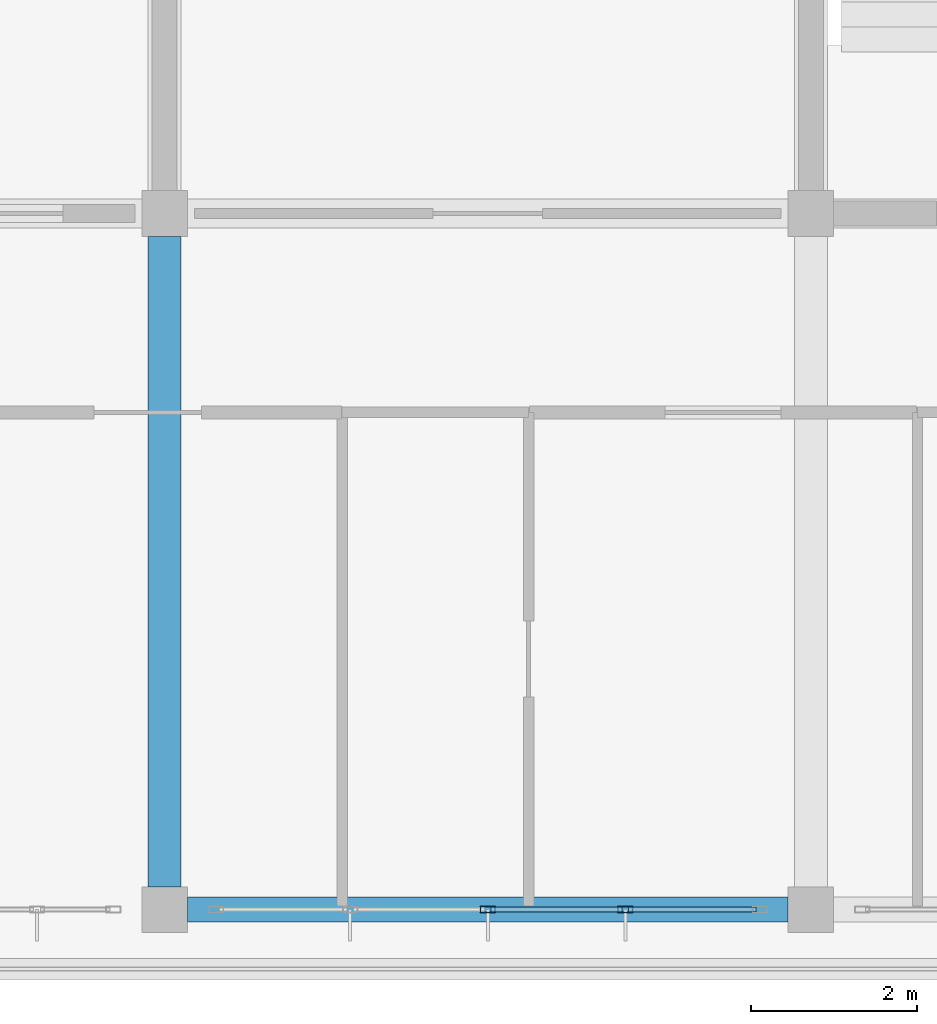
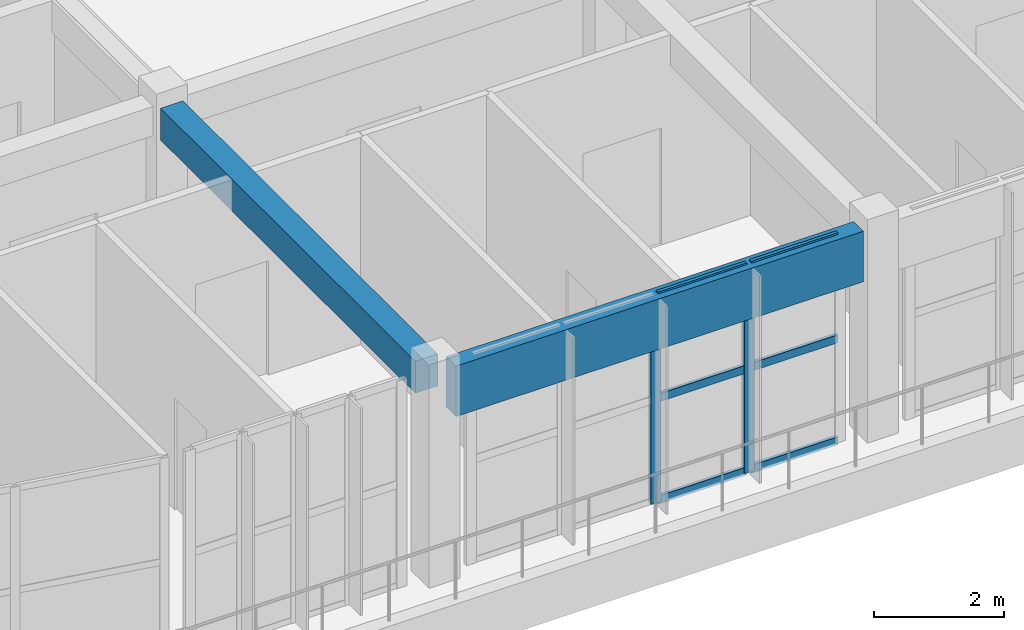
# One storey, part 4 of 44: 8 members, 2 beams, 1 element without a shape of its own.
"""IFC4 building model written with IfcOpenShell, lengths in metres."""

from ifc_helpers import new_model, si_unit, direction, frame, origin, origin_2d, place, context, subcontext, project, spatial, rectangle, hollow_rectangle, extrude, material, layer, layer_set, material_profile, profile_set, type_object, element, aggregate, save


model = new_model("IFC4")

# Units and contexts
model_context = context("Model", 3, precision=1e-05, world=origin(), true_north=direction((0.0, 1.0)))
body_context = subcontext(model_context, "Body", "Model", "MODEL_VIEW")
ifc_project = project(units=[si_unit("LENGTHUNIT", "METRE"), si_unit("AREAUNIT", "SQUARE_METRE"), si_unit("VOLUMEUNIT", "CUBIC_METRE"), si_unit("PLANEANGLEUNIT", "RADIAN"), si_unit("MASSUNIT", "GRAM", prefix="KILO")], contexts=[model_context])

# Site, building, storey
site_placement = place(None, origin())
site = spatial("IfcSite", under=ifc_project, at=site_placement, CompositionType="ELEMENT")
building_placement = place(site_placement, origin())
building = spatial("IfcBuilding", under=site, at=building_placement, Name="Zizhar Promenade General Hospital", CompositionType="ELEMENT")
storey_placement = place(building_placement, frame((0.0, 0.0, 34.800048828125)))
storey = spatial("IfcBuildingStorey", under=building, at=storey_placement, Name="L08", CompositionType="ELEMENT", Elevation=34.800048828125)

# Beams
ifc_material_1 = material(Name="Precast concrete C40/50", Category="concrete")
ifc_material_profile_1 = material_profile(ifc_material_1, rectangle(XDim=0.300048828125, YDim=0.949951171875, at=origin_2d()))
ifc_profile_set_1 = profile_set([ifc_material_profile_1], Name="Precast concrete C40/50")
beam_type_1 = type_object("IfcBeamType", Name="BM-PC-BAND950", PredefinedType="SPANDREL", material=ifc_profile_set_1)
beam_1_placement = place(storey_placement, frame((54.875, 0.0, 3.43505859375), z_axis=(1.0, 0.0, 0.0), x_axis=(0.0, 1.0, 0.0)))
element("IfcBeam", 1, at=beam_1_placement, inside=storey, type_object=beam_type_1, Name="Grid Beam X L08 (7-0)", PredefinedType="SPANDREL", context=body_context, shape_type="SweptSolid", body=[
    extrude(rectangle(XDim=0.300048828125, YDim=0.949951171875, at=origin_2d()), origin(), (0.0, 0.0, 1.0), 7.25),
])
ifc_material_2 = material(Name="Concrete C35/45", Category="concrete")
ifc_material_profile_2 = material_profile(ifc_material_2, rectangle(XDim=0.39990234375, YDim=0.60009765625, at=origin_2d()))
ifc_profile_set_2 = profile_set([ifc_material_profile_2], Name="Concrete C35/45")
beam_type_2 = type_object("IfcBeamType", Name="BM-RC-400x600", PredefinedType="JOIST", material=ifc_profile_set_2)
beam_2_placement = place(storey_placement, frame((54.60009765625, 0.27490234375, 3.60986328125), z_axis=(0.0, 1.0, 0.0), x_axis=(-1.0, 0.0, 0.0)))
element("IfcBeam", 2, at=beam_2_placement, inside=storey, type_object=beam_type_2, Name="Grid Beam Y L08 (7-0)", PredefinedType="JOIST", context=body_context, shape_type="SweptSolid", body=[
    extrude(rectangle(XDim=0.39990234375, YDim=0.60009765625, at=origin_2d()), origin(), (0.0, 0.0, 1.0), 7.85009765625),
])

# Curtain wall, members
ifc_material_3 = material(Name="Anodised aluminium 6063-T6 and low-E glass", Category="aluminium")
ifc_layer = layer(ifc_material_3, 0.159912109375)
ifc_layer_set = layer_set([ifc_layer], Name="Anodised aluminium 6063-T6 and low-E glass")
curtain_wall_type = type_object("IfcCurtainWallType", Name="CW-WARD-RIB", PredefinedType="NOTDEFINED", material=ifc_layer_set)
curtain_wall_placement = place(storey_placement, origin())
curtain_wall = element("IfcCurtainWall", 3, at=curtain_wall_placement, inside=storey, type_object=curtain_wall_type, Name="Ward Ribbon Curtain Wall L08-17-5", PredefinedType="NOTDEFINED")
ifc_material_4 = material(Name="Anodised aluminium 6063-T6", Category="aluminium")
ifc_material_profile_3 = material_profile(ifc_material_4, hollow_rectangle(XDim=0.080078125, YDim=0.179931640625, WallThickness=0.0048828125, at=origin_2d()))
ifc_profile_set_3 = profile_set([ifc_material_profile_3], Name="Anodised aluminium 6063-T6")
member_type_1 = type_object("IfcMemberType", Name="CWM-ALU-180x80", PredefinedType="MULLION", material=ifc_profile_set_3)
member_1_placement = place(storey_placement, frame((60.159912109375, 0.0, 0.0), z_axis=(0.0, 0.0, 1.0), x_axis=(0.0, -1.0, 0.0)))
member_1 = element("IfcMember", 4, at=member_1_placement, type_object=member_type_1, Name="CW-13 mullion 2", PredefinedType="MULLION", context=body_context, shape_type="SweptSolid", body=[
    extrude(hollow_rectangle(XDim=0.080078125, YDim=0.179931640625, WallThickness=0.0048828125, at=origin_2d()), origin(), (0.0, 0.0, 1.0), 3.89990234375),
])
member_2_placement = place(storey_placement, frame((58.5, 0.0, 0.0), z_axis=(0.0, 0.0, 1.0), x_axis=(0.0, -1.0, 0.0)))
member_2 = element("IfcMember", 5, at=member_2_placement, type_object=member_type_1, Name="CW-13 mullion 3", PredefinedType="MULLION", context=body_context, shape_type="SweptSolid", body=[
    extrude(hollow_rectangle(XDim=0.080078125, YDim=0.179931640625, WallThickness=0.0048828125, at=origin_2d()), origin(), (0.0, 0.0, 1.0), 3.89990234375),
])
ifc_material_5 = material(Name="Anodised aluminium 6063-T6", Category="aluminium")
ifc_material_profile_4 = material_profile(ifc_material_5, hollow_rectangle(XDim=0.06005859375, YDim=0.14990234375, WallThickness=0.00390625, at=origin_2d()))
ifc_profile_set_4 = profile_set([ifc_material_profile_4], Name="Anodised aluminium 6063-T6")
member_type_2 = type_object("IfcMemberType", Name="CWT-ALU-150x60", PredefinedType="USERDEFINED", material=ifc_profile_set_4)
member_3_placement = place(storey_placement, frame((61.739990234375, 0.0, 0.030029296875), z_axis=(-1.0, 0.0, 0.0), x_axis=(0.0, -1.0, 0.0)))
member_3 = element("IfcMember", 6, at=member_3_placement, type_object=member_type_2, Name="CW-13 transom 1.1", ObjectType="TRANSOM", PredefinedType="USERDEFINED", context=body_context, shape_type="SweptSolid", body=[
    extrude(hollow_rectangle(XDim=0.06005859375, YDim=0.14990234375, WallThickness=0.00390625, at=origin_2d()), origin(), (0.0, 0.0, 1.0), 1.5400390625),
])
member_4_placement = place(storey_placement, frame((61.739990234375, 0.0, 1.949951171875), z_axis=(-1.0, 0.0, 0.0), x_axis=(0.0, -1.0, 0.0)))
member_4 = element("IfcMember", 7, at=member_4_placement, type_object=member_type_2, Name="CW-13 transom 1.2", ObjectType="TRANSOM", PredefinedType="USERDEFINED", context=body_context, shape_type="SweptSolid", body=[
    extrude(hollow_rectangle(XDim=0.06005859375, YDim=0.14990234375, WallThickness=0.00390625, at=origin_2d()), origin(), (0.0, 0.0, 1.0), 1.5400390625),
])
member_5_placement = place(storey_placement, frame((61.739990234375, 0.0, 3.869873046875), z_axis=(-1.0, 0.0, 0.0), x_axis=(0.0, -1.0, 0.0)))
member_5 = element("IfcMember", 8, at=member_5_placement, type_object=member_type_2, Name="CW-13 transom 1.3", ObjectType="TRANSOM", PredefinedType="USERDEFINED", context=body_context, shape_type="SweptSolid", body=[
    extrude(hollow_rectangle(XDim=0.06005859375, YDim=0.14990234375, WallThickness=0.00390625, at=origin_2d()), origin(), (0.0, 0.0, 1.0), 1.5400390625),
])
member_6_placement = place(storey_placement, frame((60.1201171875, 0.0, 0.030029296875), z_axis=(-1.0, 0.0, 0.0), x_axis=(0.0, -1.0, 0.0)))
member_6 = element("IfcMember", 9, at=member_6_placement, type_object=member_type_2, Name="CW-13 transom 2.1", ObjectType="TRANSOM", PredefinedType="USERDEFINED", context=body_context, shape_type="SweptSolid", body=[
    extrude(hollow_rectangle(XDim=0.06005859375, YDim=0.14990234375, WallThickness=0.00390625, at=origin_2d()), origin(), (0.0, 0.0, 1.0), 1.580078125),
])
member_7_placement = place(storey_placement, frame((60.1201171875, 0.0, 1.949951171875), z_axis=(-1.0, 0.0, 0.0), x_axis=(0.0, -1.0, 0.0)))
member_7 = element("IfcMember", 10, at=member_7_placement, type_object=member_type_2, Name="CW-13 transom 2.2", ObjectType="TRANSOM", PredefinedType="USERDEFINED", context=body_context, shape_type="SweptSolid", body=[
    extrude(hollow_rectangle(XDim=0.06005859375, YDim=0.14990234375, WallThickness=0.00390625, at=origin_2d()), origin(), (0.0, 0.0, 1.0), 1.580078125),
])
member_8_placement = place(storey_placement, frame((60.1201171875, 0.0, 3.869873046875), z_axis=(-1.0, 0.0, 0.0), x_axis=(0.0, -1.0, 0.0)))
member_8 = element("IfcMember", 11, at=member_8_placement, type_object=member_type_2, Name="CW-13 transom 2.3", ObjectType="TRANSOM", PredefinedType="USERDEFINED", context=body_context, shape_type="SweptSolid", body=[
    extrude(hollow_rectangle(XDim=0.06005859375, YDim=0.14990234375, WallThickness=0.00390625, at=origin_2d()), origin(), (0.0, 0.0, 1.0), 1.580078125),
])
aggregate(curtain_wall, [member_1, member_2, member_3, member_4, member_5, member_6, member_7, member_8])

save(model, "model.ifc")
